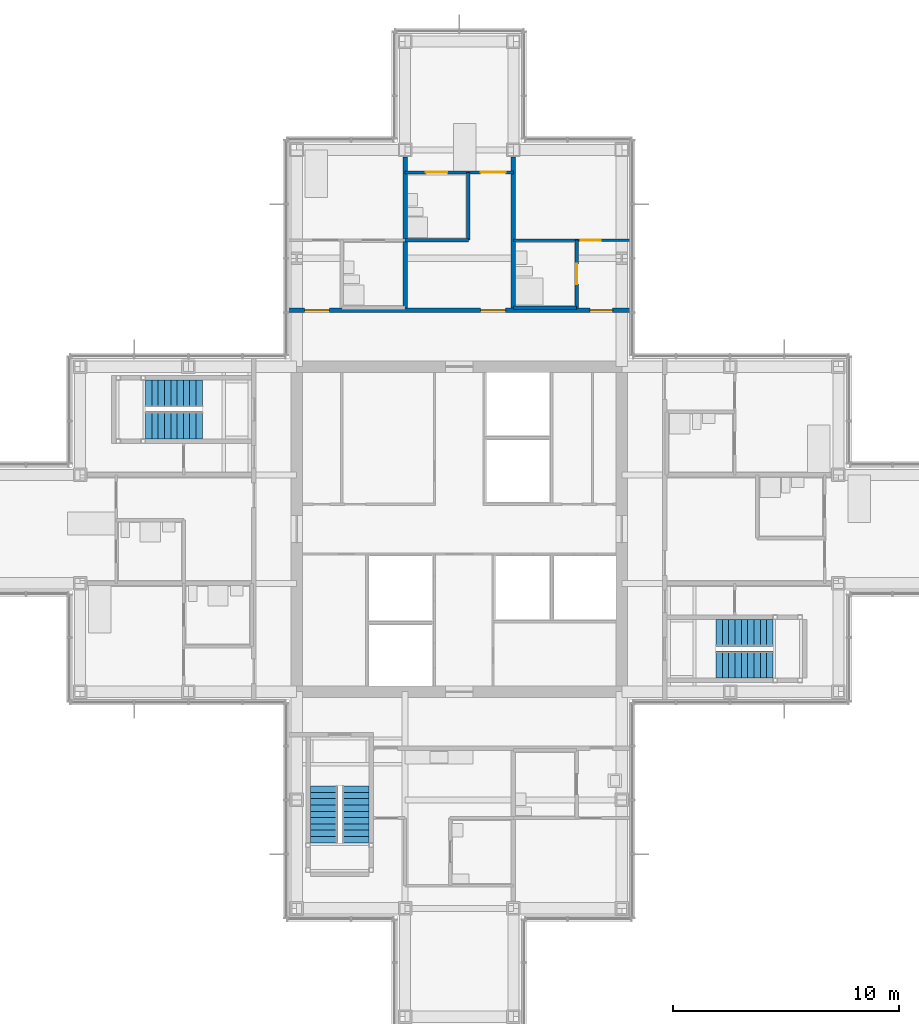
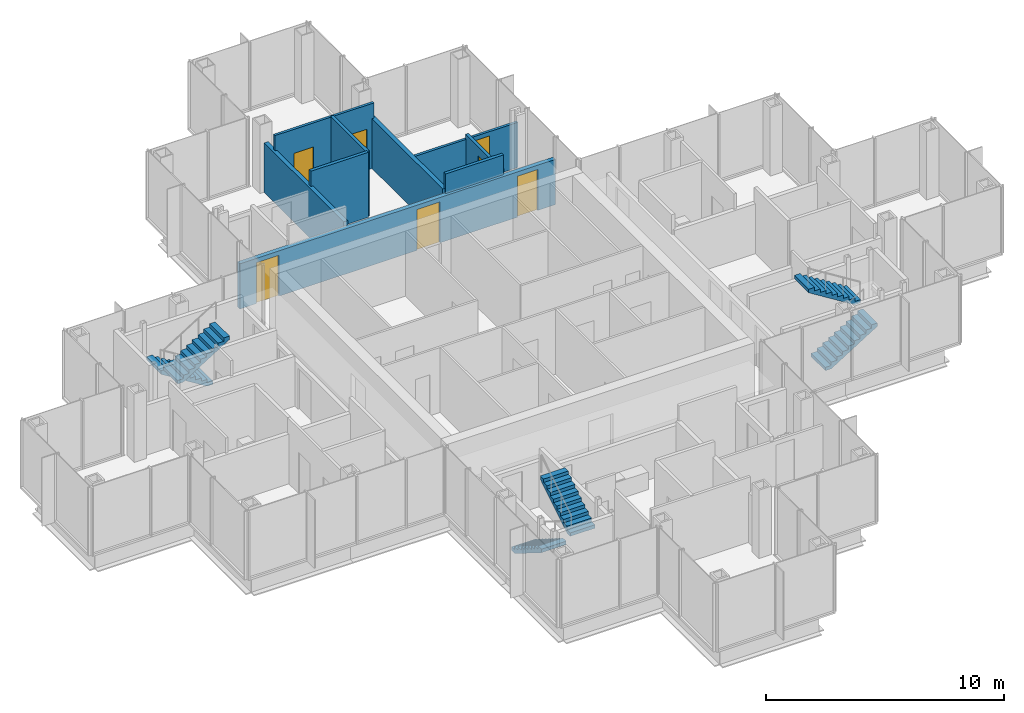
# One storey, part 14 of 17: 9 walls, 7 doors, 6 stair flights, 7 openings, 3 elements without a shape of their own.
"""IFC4 building model written with IfcOpenShell, lengths in metres."""

from ifc_helpers import new_model, si_unit, direction, frame, frame_2d, origin, place, context, subcontext, project, spatial, polyline, rectangle, outline, extrude, material, layer, layer_set, type_object, element, fill, aggregate, save


model = new_model("IFC4")

# Units and contexts
model_context = context("Model", 3, precision=1e-05, world=origin(), true_north=direction((0.0, 1.0)))
body_context = subcontext(model_context, "Body", "Model", "MODEL_VIEW")
ifc_project = project(units=[si_unit("LENGTHUNIT", "METRE"), si_unit("AREAUNIT", "SQUARE_METRE"), si_unit("VOLUMEUNIT", "CUBIC_METRE"), si_unit("PLANEANGLEUNIT", "RADIAN"), si_unit("MASSUNIT", "GRAM", prefix="KILO")], contexts=[model_context])

# Site, building, storey
site_placement = place(None, origin())
site = spatial("IfcSite", under=ifc_project, at=site_placement, CompositionType="ELEMENT")
building_placement = place(site_placement, origin())
building = spatial("IfcBuilding", under=site, at=building_placement, Name="Kvirike Care Tower", CompositionType="ELEMENT")
storey_placement = place(building_placement, frame((0.0, 0.0, 144.5)))
storey = spatial("IfcBuildingStorey", under=building, at=storey_placement, Name="L39", CompositionType="ELEMENT", Elevation=144.5)

# Wall, opening, door
ifc_material_1 = material(Name="Moisture-resistant board partition", Category="gypsum")
ifc_layer_1 = layer(ifc_material_1, 0.14990234375)
ifc_layer_set_1 = layer_set([ifc_layer_1], Name="BATHROOM WALL 150")
wall_type_1 = type_object("IfcWallType", Name="BATHROOM WALL 150", PredefinedType="PARTITIONING", material=ifc_layer_set_1)
wall_1_placement = place(storey_placement, frame((26.800048828125, 48.800048828125, 0.0), z_axis=(0.0, 0.0, 1.0), x_axis=(0.0, -1.0, 0.0)))
wall_1 = element("IfcWall", 1, at=wall_1_placement, inside=storey, type_object=wall_type_1, Name="Bathroom Wall 150 L39", PredefinedType="PARTITIONING", context=body_context, shape_type="SweptSolid", body=[
    extrude(rectangle(XDim=3.0, YDim=0.14990234375, at=frame_2d((1.5, 0.0))), origin(), (0.0, 0.0, 1.0), 2.550048828125),
])
opening_1_placement = place(wall_1_placement, frame((1.050048828125, 0.0, 0.0)))
opening_1 = element("IfcOpeningElement", 2, at=opening_1_placement, cuts=wall_1, Name="Opening 39-017", PredefinedType="OPENING", context=body_context, shape_type="SweptSolid", body=[
    extrude(rectangle(XDim=0.89990234375, YDim=2.10009765625, at=frame_2d((0.449951171875, 1.050048828125))), frame((0.0, 0.08544921875, 0.0), z_axis=(0.0, -1.0, 0.0), x_axis=(1.0, 0.0, 0.0)), (0.0, 0.0, 1.0), 0.1708984375),
])
ifc_material_2 = material(Name="Timber door set", Category="wood")
door_type_1 = type_object("IfcDoorType", Name="BATHROOM DOOR 900", OperationType="SINGLE_SWING_RIGHT", PredefinedType="DOOR", material=ifc_material_2)
door_1_placement = place(opening_1_placement, origin())
door_1 = element("IfcDoor", 3, at=door_1_placement, inside=storey, type_object=door_type_1, Name="Assisted bathroom door", OperationType="SINGLE_SWING_RIGHT", OverallHeight=2.10009765625, OverallWidth=0.89990234375, PredefinedType="DOOR", context=body_context, shape_type="SweptSolid", body=[
    extrude(rectangle(XDim=0.89990234375, YDim=2.10009765625, at=frame_2d((0.449951171875, 1.050048828125))), frame((0.0, 0.02197265625, 0.0), z_axis=(0.0, -1.0, 0.0), x_axis=(1.0, 0.0, 0.0)), (0.0, 0.0, 1.0), 0.0439453125),
])
fill(opening_1, door_1)

# Walls
wall_2_placement = place(storey_placement, frame((26.800048828125, 45.800048828125, 0.0), z_axis=(0.0, 0.0, 1.0), x_axis=(-1.0, 0.0, 0.0)))
element("IfcWall", 4, at=wall_2_placement, inside=storey, type_object=wall_type_1, Name="Bathroom Wall 150 L39", PredefinedType="PARTITIONING", context=body_context, shape_type="SweptSolid", body=[
    extrude(rectangle(XDim=2.800048828125, YDim=0.14990234375, at=frame_2d((1.39990234375, 0.0))), origin(), (0.0, 0.0, 1.0), 3.330078125),
])
wall_3_placement = place(storey_placement, frame((22.0, 51.800048828125, 0.0), z_axis=(0.0, 0.0, 1.0), x_axis=(0.0, -1.0, 0.0)))
element("IfcWall", 5, at=wall_3_placement, inside=storey, type_object=wall_type_1, Name="Bathroom Wall 150 L39", PredefinedType="PARTITIONING", context=body_context, shape_type="SweptSolid", body=[
    extrude(rectangle(XDim=3.0, YDim=0.14990234375, at=frame_2d((1.5, 0.0))), origin(), (0.0, 0.0, 1.0), 3.330078125),
])
wall_4_placement = place(storey_placement, frame((22.0, 48.800048828125, 0.0), z_axis=(0.0, 0.0, 1.0), x_axis=(-1.0, 0.0, 0.0)))
element("IfcWall", 6, at=wall_4_placement, inside=storey, type_object=wall_type_1, Name="Bathroom Wall 150 L39", PredefinedType="PARTITIONING", context=body_context, shape_type="SweptSolid", body=[
    extrude(rectangle(XDim=2.800048828125, YDim=0.14990234375, at=frame_2d((1.39990234375, 0.0))), origin(), (0.0, 0.0, 1.0), 3.330078125),
])

# Wall, openings, doors
ifc_material_3 = material(Name="Plasterboard corridor wall", Category="gypsum")
ifc_layer_2 = layer(ifc_material_3, 0.199951171875)
ifc_layer_set_2 = layer_set([ifc_layer_2], Name="CORRIDOR WALL 200")
wall_type_2 = type_object("IfcWallType", Name="CORRIDOR WALL 200", PredefinedType="PARTITIONING", material=ifc_layer_set_2)
wall_5_placement = place(storey_placement, frame((29.25, 45.699951171875, 0.0), z_axis=(0.0, 0.0, 1.0), x_axis=(-1.0, 0.0, 0.0)))
wall_5 = element("IfcWall", 7, at=wall_5_placement, inside=storey, type_object=wall_type_2, Name="Corridor Wall 200 L39", PredefinedType="PARTITIONING", context=body_context, shape_type="SweptSolid", body=[
    extrude(rectangle(XDim=15.300048828125, YDim=0.199951171875, at=frame_2d((7.64990234375, 0.0))), origin(), (0.0, 0.0, 1.0), 2.320068359375),
])
opening_2_placement = place(wall_5_placement, frame((0.85009765625, 0.0, 0.0)))
opening_2 = element("IfcOpeningElement", 8, at=opening_2_placement, cuts=wall_5, Name="Opening 39-023", PredefinedType="OPENING", context=body_context, shape_type="SweptSolid", body=[
    extrude(rectangle(XDim=1.0, YDim=2.10009765625, at=frame_2d((0.5, 1.050048828125))), frame((0.0, 0.110595703125, 0.0), z_axis=(0.0, -1.0, 0.0), x_axis=(1.0, 0.0, 0.0)), (0.0, 0.0, 1.0), 0.220947265625),
])
opening_3_placement = place(wall_5_placement, frame((5.60009765625, 0.0, 0.0)))
opening_3 = element("IfcOpeningElement", 9, at=opening_3_placement, cuts=wall_5, Name="Opening 39-024", PredefinedType="OPENING", context=body_context, shape_type="SweptSolid", body=[
    extrude(rectangle(XDim=1.10009765625, YDim=2.10009765625, at=frame_2d((0.550048828125, 1.050048828125))), frame((0.0, 0.110595703125, 0.0), z_axis=(0.0, -1.0, 0.0), x_axis=(1.0, 0.0, 0.0)), (0.0, 0.0, 1.0), 0.220947265625),
])
opening_4_placement = place(wall_5_placement, frame((13.39990234375, 0.0, 0.0)))
opening_4 = element("IfcOpeningElement", 10, at=opening_4_placement, cuts=wall_5, Name="Opening 39-025", PredefinedType="OPENING", context=body_context, shape_type="SweptSolid", body=[
    extrude(rectangle(XDim=1.10009765625, YDim=2.10009765625, at=frame_2d((0.550048828125, 1.050048828125))), frame((0.0, 0.110595703125, 0.0), z_axis=(0.0, -1.0, 0.0), x_axis=(1.0, 0.0, 0.0)), (0.0, 0.0, 1.0), 0.220947265625),
])
ifc_material_4 = material(Name="Timber door set", Category="wood")
door_type_2 = type_object("IfcDoorType", Name="BEDROOM ENTRANCE DOOR 1100", OperationType="SINGLE_SWING_LEFT", PredefinedType="DOOR", material=ifc_material_4)
door_2_placement = place(opening_3_placement, frame((1.10009765625, 0.0, 0.0), z_axis=(0.0, 0.0, 1.0), x_axis=(-1.0, 0.0, 0.0)))
door_2 = element("IfcDoor", 11, at=door_2_placement, inside=storey, type_object=door_type_2, Name="Memory care bedroom entrance", OperationType="SINGLE_SWING_LEFT", OverallHeight=2.10009765625, OverallWidth=1.10009765625, PredefinedType="DOOR", context=body_context, shape_type="SweptSolid", body=[
    extrude(rectangle(XDim=1.10009765625, YDim=2.10009765625, at=frame_2d((0.550048828125, 1.050048828125))), frame((0.0, 0.02685546875, 0.0), z_axis=(0.0, -1.0, 0.0), x_axis=(1.0, 0.0, 0.0)), (0.0, 0.0, 1.0), 0.053955078125),
])
fill(opening_3, door_2)
door_3_placement = place(opening_4_placement, frame((1.10009765625, 0.0, 0.0), z_axis=(0.0, 0.0, 1.0), x_axis=(-1.0, 0.0, 0.0)))
door_3 = element("IfcDoor", 12, at=door_3_placement, inside=storey, type_object=door_type_2, Name="Memory care bedroom entrance", OperationType="SINGLE_SWING_RIGHT", OverallHeight=2.10009765625, OverallWidth=1.10009765625, PredefinedType="DOOR", context=body_context, shape_type="SweptSolid", body=[
    extrude(rectangle(XDim=1.10009765625, YDim=2.10009765625, at=frame_2d((0.550048828125, 1.050048828125))), frame((0.0, 0.02685546875, 0.0), z_axis=(0.0, -1.0, 0.0), x_axis=(1.0, 0.0, 0.0)), (0.0, 0.0, 1.0), 0.053955078125),
])
fill(opening_4, door_3)
ifc_material_5 = material(Name="Timber door set", Category="wood")
door_type_3 = type_object("IfcDoorType", Name="FLAT ENTRANCE DOOR 1000", OperationType="SINGLE_SWING_LEFT", PredefinedType="DOOR", material=ifc_material_5)
door_4_placement = place(opening_2_placement, frame((1.0, 0.0, 0.0), z_axis=(0.0, 0.0, 1.0), x_axis=(-1.0, 0.0, 0.0)))
door_4 = element("IfcDoor", 13, at=door_4_placement, inside=storey, type_object=door_type_3, Name="Care base entrance", OperationType="SINGLE_SWING_LEFT", OverallHeight=2.10009765625, OverallWidth=1.0, PredefinedType="DOOR", context=body_context, shape_type="SweptSolid", body=[
    extrude(rectangle(XDim=1.0, YDim=2.10009765625, at=frame_2d((0.5, 1.050048828125))), frame((0.0, 0.02685546875, 0.0), z_axis=(0.0, -1.0, 0.0), x_axis=(1.0, 0.0, 0.0)), (0.0, 0.0, 1.0), 0.053955078125),
])
fill(opening_2, door_4)

# Wall, opening, door
ifc_material_6 = material(Name="Plasterboard partition", Category="gypsum")
ifc_layer_3 = layer(ifc_material_6, 0.1201171875)
ifc_layer_set_3 = layer_set([ifc_layer_3], Name="PARTITION 120")
wall_type_3 = type_object("IfcWallType", Name="PARTITION 120", PredefinedType="PARTITIONING", material=ifc_layer_set_3)
wall_6_placement = place(storey_placement, frame((29.25, 48.800048828125, 0.0), z_axis=(0.0, 0.0, 1.0), x_axis=(-1.0, 0.0, 0.0)))
wall_6 = element("IfcWall", 14, at=wall_6_placement, inside=storey, type_object=wall_type_3, Name="Partition 120 L39", PredefinedType="PARTITIONING", context=body_context, shape_type="SweptSolid", body=[
    extrude(rectangle(XDim=5.25, YDim=0.1201171875, at=frame_2d((2.625, 0.0))), origin(), (0.0, 0.0, 1.0), 2.320068359375),
])
opening_5_placement = place(wall_6_placement, frame((1.375, 0.0, 0.0)))
opening_5 = element("IfcOpeningElement", 15, at=opening_5_placement, cuts=wall_6, Name="Opening 39-018", PredefinedType="OPENING", context=body_context, shape_type="SweptSolid", body=[
    extrude(rectangle(XDim=0.89990234375, YDim=2.10009765625, at=frame_2d((0.449951171875, 1.050048828125))), frame((0.0, 0.070556640625, 0.0), z_axis=(0.0, -1.0, 0.0), x_axis=(1.0, 0.0, 0.0)), (0.0, 0.0, 1.0), 0.14111328125),
])
ifc_material_7 = material(Name="Timber door set", Category="wood")
door_type_4 = type_object("IfcDoorType", Name="INTERNAL DOOR 900", OperationType="SINGLE_SWING_LEFT", PredefinedType="DOOR", material=ifc_material_7)
door_5_placement = place(opening_5_placement, origin())
door_5 = element("IfcDoor", 16, at=door_5_placement, inside=storey, type_object=door_type_4, Name="Quiet room door", OperationType="SINGLE_SWING_LEFT", OverallHeight=2.10009765625, OverallWidth=0.89990234375, PredefinedType="DOOR", context=body_context, shape_type="SweptSolid", body=[
    extrude(rectangle(XDim=0.89990234375, YDim=2.10009765625, at=frame_2d((0.449951171875, 1.050048828125))), frame((0.0, 0.02197265625, 0.0), z_axis=(0.0, -1.0, 0.0), x_axis=(1.0, 0.0, 0.0)), (0.0, 0.0, 1.0), 0.0439453125),
])
fill(opening_5, door_5)

# Wall, openings, doors
wall_7_placement = place(storey_placement, frame((24.0, 51.800048828125, 0.0), z_axis=(0.0, 0.0, 1.0), x_axis=(-1.0, 0.0, 0.0)))
wall_7 = element("IfcWall", 17, at=wall_7_placement, inside=storey, type_object=wall_type_3, Name="Partition 120 L39", PredefinedType="PARTITIONING", context=body_context, shape_type="SweptSolid", body=[
    extrude(rectangle(XDim=4.800048828125, YDim=0.1201171875, at=frame_2d((2.39990234375, 0.0))), origin(), (0.0, 0.0, 1.0), 3.330078125),
])
opening_6_placement = place(wall_7_placement, frame((0.35009765625, 0.0, 0.0)))
opening_6 = element("IfcOpeningElement", 18, at=opening_6_placement, cuts=wall_7, Name="Opening 39-019", PredefinedType="OPENING", context=body_context, shape_type="SweptSolid", body=[
    extrude(rectangle(XDim=1.10009765625, YDim=2.10009765625, at=frame_2d((0.550048828125, 1.050048828125))), frame((0.0, 0.070556640625, 0.0), z_axis=(0.0, -1.0, 0.0), x_axis=(1.0, 0.0, 0.0)), (0.0, 0.0, 1.0), 0.14111328125),
])
opening_7_placement = place(wall_7_placement, frame((2.925048828125, 0.0, 0.0)))
opening_7 = element("IfcOpeningElement", 19, at=opening_7_placement, cuts=wall_7, Name="Opening 39-020", PredefinedType="OPENING", context=body_context, shape_type="SweptSolid", body=[
    extrude(rectangle(XDim=0.949951171875, YDim=2.10009765625, at=frame_2d((0.47509765625, 1.050048828125))), frame((0.0, 0.070556640625, 0.0), z_axis=(0.0, -1.0, 0.0), x_axis=(1.0, 0.0, 0.0)), (0.0, 0.0, 1.0), 0.14111328125),
])
ifc_material_8 = material(Name="Timber door set", Category="wood")
door_type_5 = type_object("IfcDoorType", Name="BEDROOM DOOR 1100", OperationType="SINGLE_SWING_LEFT", PredefinedType="DOOR", material=ifc_material_8)
door_6_placement = place(opening_6_placement, origin())
door_6 = element("IfcDoor", 20, at=door_6_placement, inside=storey, type_object=door_type_5, Name="Memory care bedroom door", OperationType="SINGLE_SWING_RIGHT", OverallHeight=2.10009765625, OverallWidth=1.10009765625, PredefinedType="DOOR", context=body_context, shape_type="SweptSolid", body=[
    extrude(rectangle(XDim=1.10009765625, YDim=2.10009765625, at=frame_2d((0.550048828125, 1.050048828125))), frame((0.0, 0.02197265625, 0.0), z_axis=(0.0, -1.0, 0.0), x_axis=(1.0, 0.0, 0.0)), (0.0, 0.0, 1.0), 0.0439453125),
])
fill(opening_6, door_6)
ifc_material_9 = material(Name="Timber door set", Category="wood")
door_type_6 = type_object("IfcDoorType", Name="EN-SUITE SLIDING DOOR 950", OperationType="SLIDING_TO_LEFT", PredefinedType="DOOR", material=ifc_material_9)
door_7_placement = place(opening_7_placement, origin())
door_7 = element("IfcDoor", 21, at=door_7_placement, inside=storey, type_object=door_type_6, Name="En-suite door", OperationType="SLIDING_TO_RIGHT", OverallHeight=2.10009765625, OverallWidth=0.949951171875, PredefinedType="DOOR", context=body_context, shape_type="SweptSolid", body=[
    extrude(rectangle(XDim=0.949951171875, YDim=2.10009765625, at=frame_2d((0.47509765625, 1.050048828125))), frame((0.0, 0.02197265625, 0.0), z_axis=(0.0, -1.0, 0.0), x_axis=(1.0, 0.0, 0.0)), (0.0, 0.0, 1.0), 0.0439453125),
])
fill(opening_7, door_7)

# Walls
ifc_material_10 = material(Name="Plasterboard party wall", Category="gypsum")
ifc_layer_4 = layer(ifc_material_10, 0.199951171875)
ifc_layer_set_4 = layer_set([ifc_layer_4], Name="PARTY WALL 200")
wall_type_4 = type_object("IfcWallType", Name="PARTY WALL 200", PredefinedType="PARTITIONING", material=ifc_layer_set_4)
for number, where, z_axis, x_axis, name in (
    (22, (24.0, 52.47998046875, 0.0), (0.0, 0.0, 1.0), (0.0, -1.0, 0.0), "Party Wall 200 L39"),
    (23, (19.199951171875, 52.47998046875, 0.0), (0.0, 0.0, 1.0), (0.0, -1.0, 0.0), "Party Wall 200 L39"),
):
    element("IfcWall", number, at=place(storey_placement, frame(where, z_axis=z_axis, x_axis=x_axis)), inside=storey, type_object=wall_type_4, Name=name, PredefinedType="PARTITIONING", context=body_context, shape_type="SweptSolid", body=[
        extrude(rectangle(XDim=6.679931640625, YDim=0.199951171875, at=frame_2d((3.33984375, 0.0))), origin(), (0.0, 0.0, 1.0), 2.550048828125),
    ])

# Stair, stair flights
ifc_material_11 = material(Name="Concrete C35/45", Category="concrete")
stair_type = type_object("IfcStairType", Name="STAIR 20 RISERS", PredefinedType="HALF_TURN_STAIR", material=ifc_material_11)
stair_1_placement = place(storey_placement, origin())
stair_1 = element("IfcStair", 24, at=stair_1_placement, inside=storey, type_object=stair_type, Name="Stair 1 L39", PredefinedType="HALF_TURN_STAIR")
ifc_material_12 = material(Name="Concrete C35/45", Category="concrete")
stair_flight_type = type_object("IfcStairFlightType", Name="FLIGHT 10 RISERS", PredefinedType="STRAIGHT", material=ifc_material_12)
stair_flight_1_placement = place(storey_placement, frame((10.219970703125, 42.0, 0.0), z_axis=(0.0, 0.0, 1.0), x_axis=(-1.0, 0.0, 0.0)))
stair_flight_1 = element("IfcStairFlight", 25, at=stair_flight_1_placement, type_object=stair_flight_type, Name="Stair S1 flight 1 L39-L40", NumberOfRisers=10, NumberOfTreads=9, PredefinedType="STRAIGHT", RiserHeight=0.175, TreadLength=0.28, context=body_context, shape_type="SweptSolid", body=[
    extrude(outline(polyline([(0.0, 0.0), (0.0, 0.175048828125), (0.280029296875, 0.175048828125), (0.280029296875, 0.35009765625), (0.56005859375, 0.35009765625), (0.56005859375, 0.52490234375), (0.840087890625, 0.52490234375), (0.840087890625, 0.699951171875), (1.1201171875, 0.699951171875), (1.1201171875, 0.875), (1.39990234375, 0.875), (1.39990234375, 1.050048828125), (1.679931640625, 1.050048828125), (1.679931640625, 1.22509765625), (1.9599609375, 1.22509765625), (1.9599609375, 1.39990234375), (2.239990234375, 1.39990234375), (2.239990234375, 1.574951171875), (2.52001953125, 1.574951171875), (2.52001953125, 1.75), (2.52001953125, 1.398193359375), (0.28271484375, 0.0), (0.0, 0.0)])), frame((0.0, 0.60009765625, 0.0), z_axis=(0.0, -1.0, 0.0), x_axis=(1.0, 0.0, 0.0)), (0.0, 0.0, 1.0), 1.199951171875),
])
stair_flight_2_placement = place(storey_placement, frame((7.699951171875, 40.60009765625, 1.75), z_axis=(0.0, 0.0, 1.0), x_axis=(1.0, 0.0, 0.0)))
stair_flight_2 = element("IfcStairFlight", 26, at=stair_flight_2_placement, type_object=stair_flight_type, Name="Stair S1 flight 2 L39-L40", NumberOfRisers=10, NumberOfTreads=9, PredefinedType="STRAIGHT", RiserHeight=0.175, TreadLength=0.28, context=body_context, shape_type="SweptSolid", body=[
    extrude(outline(polyline([(0.0, 0.0), (0.0, 0.175048828125), (0.280029296875, 0.175048828125), (0.280029296875, 0.35009765625), (0.56005859375, 0.35009765625), (0.56005859375, 0.52490234375), (0.840087890625, 0.52490234375), (0.840087890625, 0.699951171875), (1.1201171875, 0.699951171875), (1.1201171875, 0.875), (1.39990234375, 0.875), (1.39990234375, 1.050048828125), (1.679931640625, 1.050048828125), (1.679931640625, 1.22509765625), (1.9599609375, 1.22509765625), (1.9599609375, 1.39990234375), (2.239990234375, 1.39990234375), (2.239990234375, 1.574951171875), (2.52001953125, 1.574951171875), (2.52001953125, 1.75), (2.52001953125, 1.398193359375), (0.28271484375, 0.0), (0.0, 0.0)])), frame((0.0, 0.60009765625, 0.0), z_axis=(0.0, -1.0, 0.0), x_axis=(1.0, 0.0, 0.0)), (0.0, 0.0, 1.0), 1.199951171875),
])
aggregate(stair_1, [stair_flight_1, stair_flight_2])

stair_2_placement = place(storey_placement, origin())
stair_2 = element("IfcStair", 27, at=stair_2_placement, inside=storey, type_object=stair_type, Name="Stair 2 L39", PredefinedType="HALF_TURN_STAIR")
stair_flight_3_placement = place(storey_placement, frame((32.97998046875, 30.0, 0.0), z_axis=(0.0, 0.0, 1.0), x_axis=(1.0, 0.0, 0.0)))
stair_flight_3 = element("IfcStairFlight", 28, at=stair_flight_3_placement, type_object=stair_flight_type, Name="Stair S2 flight 1 L39-L40", NumberOfRisers=10, NumberOfTreads=9, PredefinedType="STRAIGHT", RiserHeight=0.175, TreadLength=0.28, context=body_context, shape_type="SweptSolid", body=[
    extrude(outline(polyline([(0.0, 0.0), (0.0, 0.175048828125), (0.280029296875, 0.175048828125), (0.280029296875, 0.35009765625), (0.56005859375, 0.35009765625), (0.56005859375, 0.52490234375), (0.840087890625, 0.52490234375), (0.840087890625, 0.699951171875), (1.1201171875, 0.699951171875), (1.1201171875, 0.875), (1.39990234375, 0.875), (1.39990234375, 1.050048828125), (1.679931640625, 1.050048828125), (1.679931640625, 1.22509765625), (1.9599609375, 1.22509765625), (1.9599609375, 1.39990234375), (2.239990234375, 1.39990234375), (2.239990234375, 1.574951171875), (2.52001953125, 1.574951171875), (2.52001953125, 1.75), (2.52001953125, 1.398193359375), (0.28271484375, 0.0), (0.0, 0.0)])), frame((0.0, 0.60009765625, 0.0), z_axis=(0.0, -1.0, 0.0), x_axis=(1.0, 0.0, 0.0)), (0.0, 0.0, 1.0), 1.199951171875),
])
stair_flight_4_placement = place(storey_placement, frame((35.5, 31.39990234375, 1.75), z_axis=(0.0, 0.0, 1.0), x_axis=(-1.0, 0.0, 0.0)))
stair_flight_4 = element("IfcStairFlight", 29, at=stair_flight_4_placement, type_object=stair_flight_type, Name="Stair S2 flight 2 L39-L40", NumberOfRisers=10, NumberOfTreads=9, PredefinedType="STRAIGHT", RiserHeight=0.175, TreadLength=0.28, context=body_context, shape_type="SweptSolid", body=[
    extrude(outline(polyline([(0.0, 0.0), (0.0, 0.175048828125), (0.280029296875, 0.175048828125), (0.280029296875, 0.35009765625), (0.56005859375, 0.35009765625), (0.56005859375, 0.52490234375), (0.840087890625, 0.52490234375), (0.840087890625, 0.699951171875), (1.1201171875, 0.699951171875), (1.1201171875, 0.875), (1.39990234375, 0.875), (1.39990234375, 1.050048828125), (1.679931640625, 1.050048828125), (1.679931640625, 1.22509765625), (1.9599609375, 1.22509765625), (1.9599609375, 1.39990234375), (2.239990234375, 1.39990234375), (2.239990234375, 1.574951171875), (2.52001953125, 1.574951171875), (2.52001953125, 1.75), (2.52001953125, 1.398193359375), (0.28271484375, 0.0), (0.0, 0.0)])), frame((0.0, 0.60009765625, 0.0), z_axis=(0.0, -1.0, 0.0), x_axis=(1.0, 0.0, 0.0)), (0.0, 0.0, 1.0), 1.199951171875),
])
aggregate(stair_2, [stair_flight_3, stair_flight_4])

stair_3_placement = place(storey_placement, origin())
stair_3 = element("IfcStair", 30, at=stair_3_placement, inside=storey, type_object=stair_type, Name="Stair 5 L39", PredefinedType="HALF_TURN_STAIR")
stair_flight_5_placement = place(storey_placement, frame((15.60009765625, 24.6201171875, 0.0), z_axis=(0.0, 0.0, 1.0), x_axis=(0.0, -1.0, 0.0)))
stair_flight_5 = element("IfcStairFlight", 31, at=stair_flight_5_placement, type_object=stair_flight_type, Name="Stair S5 flight 1 L39-L40", NumberOfRisers=10, NumberOfTreads=9, PredefinedType="STRAIGHT", RiserHeight=0.175, TreadLength=0.28, context=body_context, shape_type="SweptSolid", body=[
    extrude(outline(polyline([(0.0, 0.0), (0.0, 0.175048828125), (0.280029296875, 0.175048828125), (0.280029296875, 0.35009765625), (0.56005859375, 0.35009765625), (0.56005859375, 0.52490234375), (0.840087890625, 0.52490234375), (0.840087890625, 0.699951171875), (1.1201171875, 0.699951171875), (1.1201171875, 0.875), (1.39990234375, 0.875), (1.39990234375, 1.050048828125), (1.679931640625, 1.050048828125), (1.679931640625, 1.22509765625), (1.9599609375, 1.22509765625), (1.9599609375, 1.39990234375), (2.239990234375, 1.39990234375), (2.239990234375, 1.574951171875), (2.52001953125, 1.574951171875), (2.52001953125, 1.75), (2.52001953125, 1.398193359375), (0.28271484375, 0.0), (0.0, 0.0)])), frame((0.0, 0.60009765625, 0.0), z_axis=(0.0, -1.0, 0.0), x_axis=(1.0, 0.0, 0.0)), (0.0, 0.0, 1.0), 1.199951171875),
])
stair_flight_6_placement = place(storey_placement, frame((17.0, 22.10009765625, 1.75), z_axis=(0.0, 0.0, 1.0), x_axis=(0.0, 1.0, 0.0)))
stair_flight_6 = element("IfcStairFlight", 32, at=stair_flight_6_placement, type_object=stair_flight_type, Name="Stair S5 flight 2 L39-L40", NumberOfRisers=10, NumberOfTreads=9, PredefinedType="STRAIGHT", RiserHeight=0.175, TreadLength=0.28, context=body_context, shape_type="SweptSolid", body=[
    extrude(outline(polyline([(0.0, 0.0), (0.0, 0.175048828125), (0.280029296875, 0.175048828125), (0.280029296875, 0.35009765625), (0.56005859375, 0.35009765625), (0.56005859375, 0.52490234375), (0.840087890625, 0.52490234375), (0.840087890625, 0.699951171875), (1.1201171875, 0.699951171875), (1.1201171875, 0.875), (1.39990234375, 0.875), (1.39990234375, 1.050048828125), (1.679931640625, 1.050048828125), (1.679931640625, 1.22509765625), (1.9599609375, 1.22509765625), (1.9599609375, 1.39990234375), (2.239990234375, 1.39990234375), (2.239990234375, 1.574951171875), (2.52001953125, 1.574951171875), (2.52001953125, 1.75), (2.52001953125, 1.398193359375), (0.28271484375, 0.0), (0.0, 0.0)])), frame((0.0, 0.60009765625, 0.0), z_axis=(0.0, -1.0, 0.0), x_axis=(1.0, 0.0, 0.0)), (0.0, 0.0, 1.0), 1.199951171875),
])
aggregate(stair_3, [stair_flight_5, stair_flight_6])

save(model, "model.ifc")
